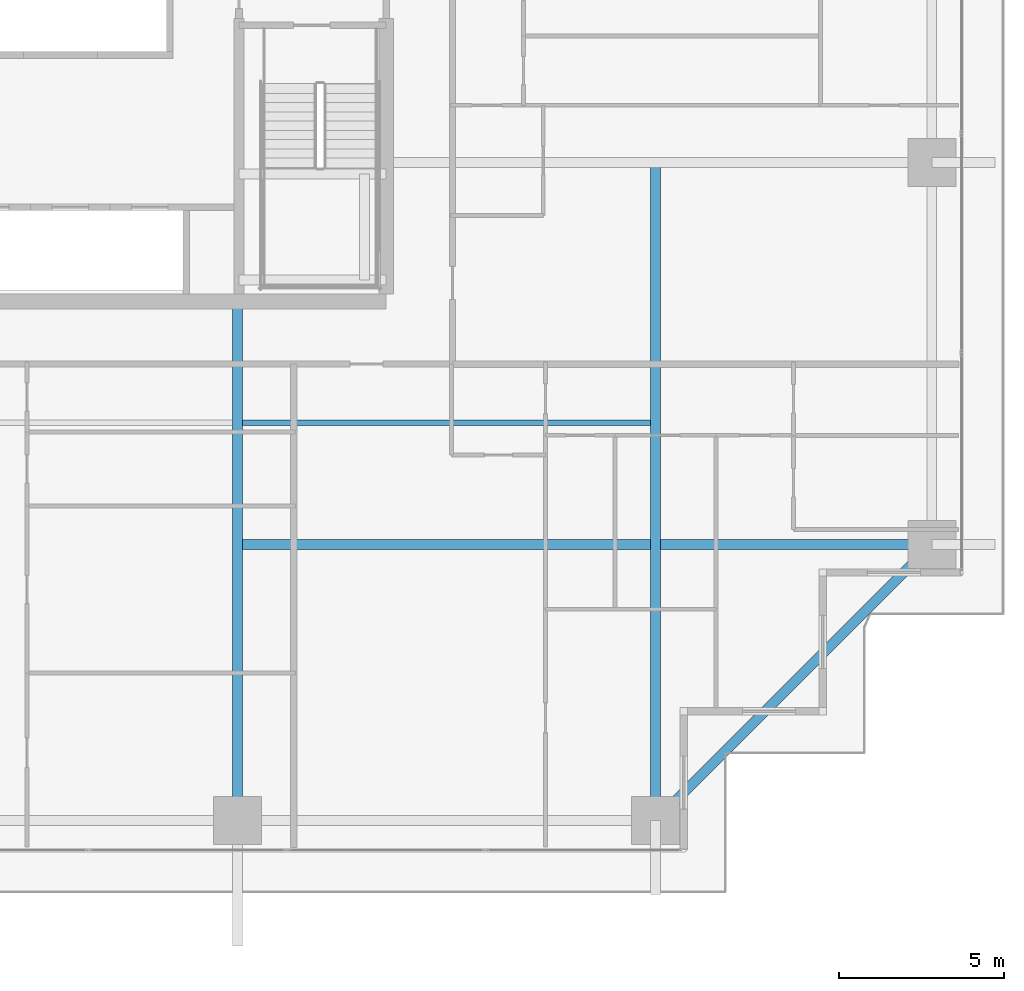
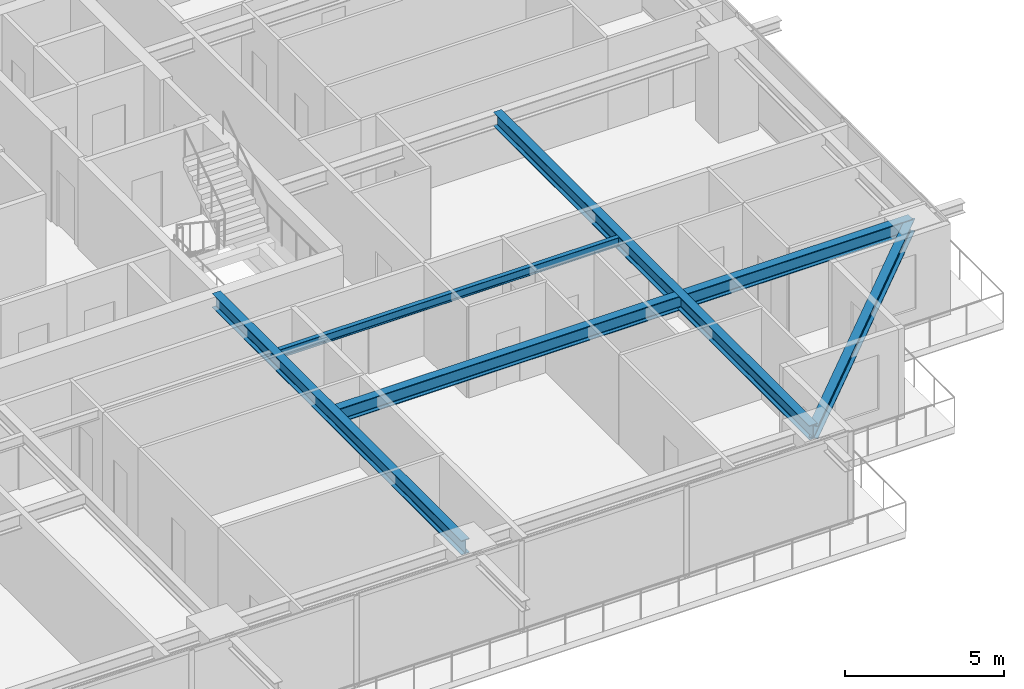
# One storey, part 11 of 35: 5 beams.
"""IFC4 building model written with IfcOpenShell, lengths in metres."""

import ifcopenshell
import ifcopenshell.guid

model = None  # the IFC model being written
_history = None  # IfcOwnerHistory: only IFC2X3 demands one
_inside = {}  # id of a spatial element -> (the spatial element, [elements in it])
_under = {}  # id of a project, library or spatial element -> (it, [spatial elements below it])
_declared = {}  # id of a project -> (the project, [libraries it declares])
_typed = {}  # id of a type object -> (the type object, [elements of that type])
_made_of = {}  # id of a material, layer set ... -> (it, [elements and type objects made of it])


def new_model(schema):
    """Start an empty IFC model of exactly this schema.

    Asked for "IFC4X3", IfcOpenShell would pick the latest addendum, in which some entities
    have other attributes; the version numbers below select the first issue.
    IFC2X3 requires an IfcOwnerHistory on every rooted entity: one is made here for all.
    """
    global model, _history
    if schema == "IFC4X3":
        model = ifcopenshell.file(schema_version=(4, 3, 0, 0))
    else:
        model = ifcopenshell.file(schema=schema)
    _inside.clear()
    _under.clear()
    _declared.clear()
    _typed.clear()
    _made_of.clear()
    _history = None
    if model.schema == "IFC2X3":
        org = make("IfcOrganization", Name="unknown")
        user = make(
            "IfcPersonAndOrganization",
            ThePerson=make("IfcPerson", FamilyName="unknown"),
            TheOrganization=org,
        )
        app = make(
            "IfcApplication",
            ApplicationDeveloper=org,
            Version="unknown",
            ApplicationFullName="unknown",
            ApplicationIdentifier="unknown",
        )
        _history = make(
            "IfcOwnerHistory",
            OwningUser=user,
            OwningApplication=app,
            ChangeAction="ADDED",
            CreationDate=0,
        )
    return model


def make(cls, **values):
    """One entity of the class cls with the attributes given. An attribute that is None is left unset."""
    return model.create_entity(
        cls, **{name: value for name, value in values.items() if value is not None}
    )


def rooted(cls, **values):
    """An entity with a GlobalId (a new one), such as an element, a storey or a relation."""
    return make(cls, GlobalId=ifcopenshell.guid.new(), OwnerHistory=_history, **values)


def si_unit(unit_type, name, prefix=None):
    """IfcSIUnit, for example si_unit("LENGTHUNIT", "METRE", prefix="MILLI")."""
    return make("IfcSIUnit", UnitType=unit_type, Prefix=prefix, Name=name)


def assignment(units):
    """IfcUnitAssignment: the units of a project."""
    return None if units is None else make("IfcUnitAssignment", Units=units)


def point(xyz):
    """IfcCartesianPoint."""
    return None if xyz is None else make("IfcCartesianPoint", Coordinates=xyz)


def direction(xyz):
    """IfcDirection."""
    return None if xyz is None else make("IfcDirection", DirectionRatios=xyz)


def frame(location, z_axis=None, x_axis=None):
    """IfcAxis2Placement3D, a coordinate frame: its origin and axes. An axis left out is left unset."""
    return make(
        "IfcAxis2Placement3D",
        Location=point(location),
        Axis=direction(z_axis),
        RefDirection=direction(x_axis),
    )


def frame_2d(location, x_axis=None):
    """IfcAxis2Placement2D, a coordinate frame in the plane: its origin and x axis."""
    return make(
        "IfcAxis2Placement2D", Location=point(location), RefDirection=direction(x_axis)
    )


def origin():
    """The frame at (0, 0, 0) with its axes left unset."""
    return frame((0.0, 0.0, 0.0))


def origin_2d():
    """The frame at (0, 0) in the plane with its x axis left unset."""
    return frame_2d((0.0, 0.0))


def place(relative_to, where):
    """IfcLocalPlacement: puts the frame where relative to a parent placement (None: the world)."""
    return make(
        "IfcLocalPlacement", PlacementRelTo=relative_to, RelativePlacement=where
    )


def context(
    kind, dimensions, precision=None, world=None, true_north=None, identifier=None
):
    """IfcGeometricRepresentationContext, for example the 3D "Model" context."""
    return make(
        "IfcGeometricRepresentationContext",
        ContextIdentifier=identifier,
        ContextType=kind,
        CoordinateSpaceDimension=dimensions,
        Precision=precision,
        WorldCoordinateSystem=world,
        TrueNorth=true_north,
    )


def subcontext(parent, identifier, kind, view, scale=None):
    """IfcGeometricRepresentationSubContext, for example "Body" below "Model"."""
    return make(
        "IfcGeometricRepresentationSubContext",
        ContextIdentifier=identifier,
        ContextType=kind,
        ParentContext=parent,
        TargetScale=scale,
        TargetView=view,
    )


def project(units=None, contexts=None):
    """IfcProject with its units and contexts."""
    return rooted(
        "IfcProject",
        Name="project",
        RepresentationContexts=contexts,
        UnitsInContext=assignment(units),
    )


def spatial(cls, under=None, at=None, **own):
    """A site, building, storey or space (cls), placed at a placement, below another one or the project."""
    s = rooted(cls, ObjectPlacement=at, **own)
    if under is not None:
        _under.setdefault(under.id(), (under, []))[1].append(s)
    return s


def profile(cls, at=None, kind="AREA", **sizes):
    """A parametric profile (cls). Its sizes go by their IFC names, for example OverallWidth=200.0."""
    return make(cls, ProfileType=kind, Position=at, **sizes)


def i_section(**sizes):
    """IfcIShapeProfileDef."""
    return profile("IfcIShapeProfileDef", **sizes)


def extrude(swept, where, along, depth):
    """IfcExtrudedAreaSolid: the profile swept, set in the frame where, extruded along a direction by depth."""
    return make(
        "IfcExtrudedAreaSolid",
        SweptArea=swept,
        Position=where,
        ExtrudedDirection=direction(along),
        Depth=depth,
    )


def shape(context_of_items, identifier, shape_type, items):
    """IfcShapeRepresentation: the items that make up one representation, for example the "Body"."""
    return make(
        "IfcShapeRepresentation",
        ContextOfItems=context_of_items,
        RepresentationIdentifier=identifier,
        RepresentationType=shape_type,
        Items=items,
    )


def source(mapping_origin, context_of_items, identifier, shape_type, items):
    """IfcRepresentationMap: a shape defined once, which mapped items show again and again."""
    return make(
        "IfcRepresentationMap",
        MappingOrigin=mapping_origin,
        MappedRepresentation=shape(context_of_items, identifier, shape_type, items),
    )


def transform(
    local_origin,
    x_axis=None,
    y_axis=None,
    z_axis=None,
    scale=None,
    scale2=None,
    scale3=None,
    uniform=True,
):
    """IfcCartesianTransformationOperator3D, or its non-uniform kind. x_axis, y_axis, z_axis: its Axis1, 2, 3."""
    if uniform:
        return make(
            "IfcCartesianTransformationOperator3D",
            Axis1=direction(x_axis),
            Axis2=direction(y_axis),
            LocalOrigin=point(local_origin),
            Scale=scale,
            Axis3=direction(z_axis),
        )
    return make(
        "IfcCartesianTransformationOperator3DnonUniform",
        Axis1=direction(x_axis),
        Axis2=direction(y_axis),
        LocalOrigin=point(local_origin),
        Scale=scale,
        Axis3=direction(z_axis),
        Scale2=scale2,
        Scale3=scale3,
    )


def mapped(mapping_source, mapping_target):
    """IfcMappedItem: shows the shape of a source again, moved by a transform."""
    return make(
        "IfcMappedItem", MappingSource=mapping_source, MappingTarget=mapping_target
    )


def material(Name=None, Category=None):
    """IfcMaterial."""
    return make("IfcMaterial", Name=Name, Category=Category)


def material_profile(
    of_material, cross_section, Name=None, Category=None, Priority=None
):
    """IfcMaterialProfile: a cross section and its material."""
    return make(
        "IfcMaterialProfile",
        Name=Name,
        Material=of_material,
        Profile=cross_section,
        Priority=Priority,
        Category=Category,
    )


def profile_set(profiles, Name=None, composite=None):
    """IfcMaterialProfileSet."""
    return make(
        "IfcMaterialProfileSet",
        Name=Name,
        MaterialProfiles=profiles,
        CompositeProfile=composite,
    )


def made_of(thing, what):
    """Note that an element or type object is made of a material, layer set ...; save() writes the relation."""
    if what is not None:
        _made_of.setdefault(what.id(), (what, []))[1].append(thing)
    return thing


def type_object(cls, material=None, **own):
    """A type object (cls), such as IfcWallType, which elements share."""
    return made_of(rooted(cls, **own), material)


def element(
    cls,
    number,
    at=None,
    inside=None,
    cuts=None,
    type_object=None,
    material=None,
    context=None,
    identifier="Body",
    shape_type=None,
    held_by="IfcProductDefinitionShape",
    body=None,
    shapes=None,
    **own,
):
    """One element of the class cls, such as IfcWall. Its Tag is "e" and its number.

    at: its placement. inside: the storey or other place that contains it. cuts: it is an
    opening in that element (IfcRelVoidsElement). A single representation is given by context,
    identifier, shape_type and body (its items); several are given by shapes. held_by: the class
    of the entity that holds the representations. save() writes the other relations.
    """
    e = rooted(cls, Tag="e%d" % number, ObjectPlacement=at, **own)
    if body is not None:
        shapes = [shape(context, identifier, shape_type, body)]
    if shapes is not None:
        e.Representation = make(held_by, Representations=shapes)
    if inside is not None:
        _inside.setdefault(inside.id(), (inside, []))[1].append(e)
    if cuts is not None:
        rooted(
            "IfcRelVoidsElement", RelatingBuildingElement=cuts, RelatedOpeningElement=e
        )
    if type_object is not None:
        _typed.setdefault(type_object.id(), (type_object, []))[1].append(e)
    return made_of(e, material)


def aggregate(whole, parts):
    """IfcRelAggregates: a whole, such as a stair, and the parts it consists of."""
    return rooted("IfcRelAggregates", RelatingObject=whole, RelatedObjects=parts)


def save(model, path):
    """Write the relations noted so far, then the file.

    IfcRelAggregates (storeys below a building ...), IfcRelContainedInSpatialStructure (elements
    in a storey), IfcRelDefinesByType, IfcRelAssociatesMaterial and IfcRelDeclares: one each for
    every whole, place, type object, material and project.
    """
    for whole, parts in _under.values():
        aggregate(whole, parts)
    for where, things in _inside.values():
        rooted(
            "IfcRelContainedInSpatialStructure",
            RelatedElements=things,
            RelatingStructure=where,
        )
    for kind, things in _typed.values():
        rooted("IfcRelDefinesByType", RelatedObjects=things, RelatingType=kind)
    for what, things in _made_of.values():
        rooted("IfcRelAssociatesMaterial", RelatedObjects=things, RelatingMaterial=what)
    for by, libraries in _declared.values():
        rooted("IfcRelDeclares", RelatingContext=by, RelatedDefinitions=libraries)
    model.write(path)


model = new_model("IFC4")

# Units and contexts
model_context = context("Model", 3, precision=1e-05, world=origin(), true_north=direction((0.0, 1.0)))
body_context = subcontext(model_context, "Body", "Model", "MODEL_VIEW")
ifc_project = project(units=[si_unit("LENGTHUNIT", "METRE"), si_unit("AREAUNIT", "SQUARE_METRE"), si_unit("VOLUMEUNIT", "CUBIC_METRE"), si_unit("PLANEANGLEUNIT", "RADIAN"), si_unit("MASSUNIT", "GRAM", prefix="KILO")], contexts=[model_context])

# Site, building, storey
site_placement = place(None, origin())
site = spatial("IfcSite", under=ifc_project, at=site_placement, CompositionType="ELEMENT")
building_placement = place(site_placement, origin())
building = spatial("IfcBuilding", under=site, at=building_placement, Name="Serunith Strait Residences", CompositionType="ELEMENT")
storey_placement = place(building_placement, frame((0.0, 0.0, 71.699951171875)))
storey = spatial("IfcBuildingStorey", under=building, at=storey_placement, Name="L17", CompositionType="ELEMENT", Elevation=71.699951171875)

# Beams
ifc_material = material(Name="Steel S355J2", Category="steel")
ifc_material_profile_1 = material_profile(ifc_material, i_section(OverallWidth=0.300048828125, OverallDepth=0.550048828125, WebThickness=0.014892578125, FlangeThickness=0.029052734375, FilletRadius=0.027099609375, at=origin_2d()), Name="HEB 550")
ifc_profile_set_1 = profile_set([ifc_material_profile_1], Name="Steel S355J2")
beam_type_1 = type_object("IfcBeamType", Name="BM-HEB550", PredefinedType="BEAM", material=ifc_profile_set_1)
shared_shape_1 = source(origin(), body_context, "Body", "SweptSolid", [
    extrude(i_section(OverallWidth=0.300048828125, OverallDepth=0.550048828125, WebThickness=0.014892578125, FlangeThickness=0.029052734375, FilletRadius=0.027099609375, at=origin_2d()), origin(), (0.0, 0.0, 1.0), 15.699951171875),
])
beam_1_placement = place(storey_placement, frame((36.89990234375, 16.800048828125, 3.212158203125), z_axis=(0.0, -1.0, 0.0), x_axis=(1.0, 0.0, 0.0)))
element("IfcBeam", 1, at=beam_1_placement, inside=storey, type_object=beam_type_1, Name="L17 Primary Floor Girder TC-S3", PredefinedType="BEAM", context=body_context, shape_type="MappedRepresentation", body=[
    mapped(shared_shape_1, transform((0.0, 0.0, 0.0), scale=1.0)),
])
shared_shape_2 = source(origin(), body_context, "Body", "SweptSolid", [
    extrude(i_section(OverallWidth=0.300048828125, OverallDepth=0.550048828125, WebThickness=0.014892578125, FlangeThickness=0.029052734375, FilletRadius=0.027099609375, at=origin_2d()), origin(), (0.0, 0.0, 1.0), 19.89990234375),
])
beam_2_placement = place(storey_placement, frame((49.550048828125, 21.0, 3.212158203125), z_axis=(0.0, -1.0, 0.0), x_axis=(1.0, 0.0, 0.0)))
element("IfcBeam", 2, at=beam_2_placement, inside=storey, type_object=beam_type_1, Name="L17 Orthogonal Corner Girder TC-S4", PredefinedType="BEAM", context=body_context, shape_type="MappedRepresentation", body=[
    mapped(shared_shape_2, transform((0.0, 0.0, 0.0), scale=1.0)),
])
shared_shape_3 = source(origin(), body_context, "Body", "SweptSolid", [
    extrude(i_section(OverallWidth=0.300048828125, OverallDepth=0.550048828125, WebThickness=0.014892578125, FlangeThickness=0.029052734375, FilletRadius=0.027099609375, at=origin_2d()), origin(), (0.0, 0.0, 1.0), 21.0),
])
beam_3_placement = place(storey_placement, frame((36.89990234375, 9.449951171875, 3.212158203125), z_axis=(1.0, 0.0, 0.0), x_axis=(0.0, 1.0, 0.0)))
element("IfcBeam", 3, at=beam_3_placement, inside=storey, type_object=beam_type_1, Name="L17 Orthogonal Corner Girder TC-E1", PredefinedType="BEAM", context=body_context, shape_type="MappedRepresentation", body=[
    mapped(shared_shape_3, transform((0.0, 0.0, 0.0), scale=1.0)),
])
ifc_material_profile_2 = material_profile(ifc_material, i_section(OverallWidth=0.300048828125, OverallDepth=0.5, WebThickness=0.014404296875, FlangeThickness=0.028076171875, FilletRadius=0.027099609375, at=origin_2d()), Name="HEB 500")
ifc_profile_set_2 = profile_set([ifc_material_profile_2], Name="Steel S355J2")
beam_type_2 = type_object("IfcBeamType", Name="BM-HEB500", PredefinedType="BEAM", material=ifc_profile_set_2)
shared_shape_4 = source(origin(), body_context, "Body", "SweptSolid", [
    extrude(i_section(OverallWidth=0.300048828125, OverallDepth=0.5, WebThickness=0.014404296875, FlangeThickness=0.028076171875, FilletRadius=0.027099609375, at=origin_2d()), origin(), (0.0, 0.0, 1.0), 11.80859375),
])
beam_4_placement = place(storey_placement, frame((49.550048828125, 1.10009765625, 3.20703125), z_axis=(0.707106781187, 0.707106781187, 0.0), x_axis=(-0.707106781187, 0.707106781187, 0.0)))
element("IfcBeam", 4, at=beam_4_placement, inside=storey, type_object=beam_type_2, Name="L17 Perimeter Ring Beam 04", PredefinedType="BEAM", context=body_context, shape_type="MappedRepresentation", body=[
    mapped(shared_shape_4, transform((0.0, 0.0, 0.0), scale=1.0)),
])
ifc_material_profile_3 = material_profile(ifc_material, i_section(OverallWidth=0.159912109375, OverallDepth=0.330078125, WebThickness=0.007568359375, FlangeThickness=0.011474609375, FilletRadius=0.01806640625, at=origin_2d()), Name="IPE 330")
ifc_profile_set_3 = profile_set([ifc_material_profile_3], Name="Steel S355J2")
beam_type_3 = type_object("IfcBeamType", Name="BM-IPE330", PredefinedType="JOIST", material=ifc_profile_set_3)
shared_shape_5 = source(origin(), body_context, "Body", "SweptSolid", [
    extrude(i_section(OverallWidth=0.159912109375, OverallDepth=0.330078125, WebThickness=0.007568359375, FlangeThickness=0.011474609375, FilletRadius=0.01806640625, at=origin_2d()), origin(), (0.0, 0.0, 1.0), 12.349853515625),
])
beam_5_placement = place(storey_placement, frame((37.050048828125, 13.125, 3.322021484375), z_axis=(1.0, 0.0, 0.0), x_axis=(0.0, 1.0, 0.0)))
element("IfcBeam", 5, at=beam_5_placement, inside=storey, type_object=beam_type_3, Name="L17 Composite Floor Joist 03", PredefinedType="JOIST", context=body_context, shape_type="MappedRepresentation", body=[
    mapped(shared_shape_5, transform((0.0, 0.0, 0.0), scale=1.0)),
])

save(model, "model.ifc")
